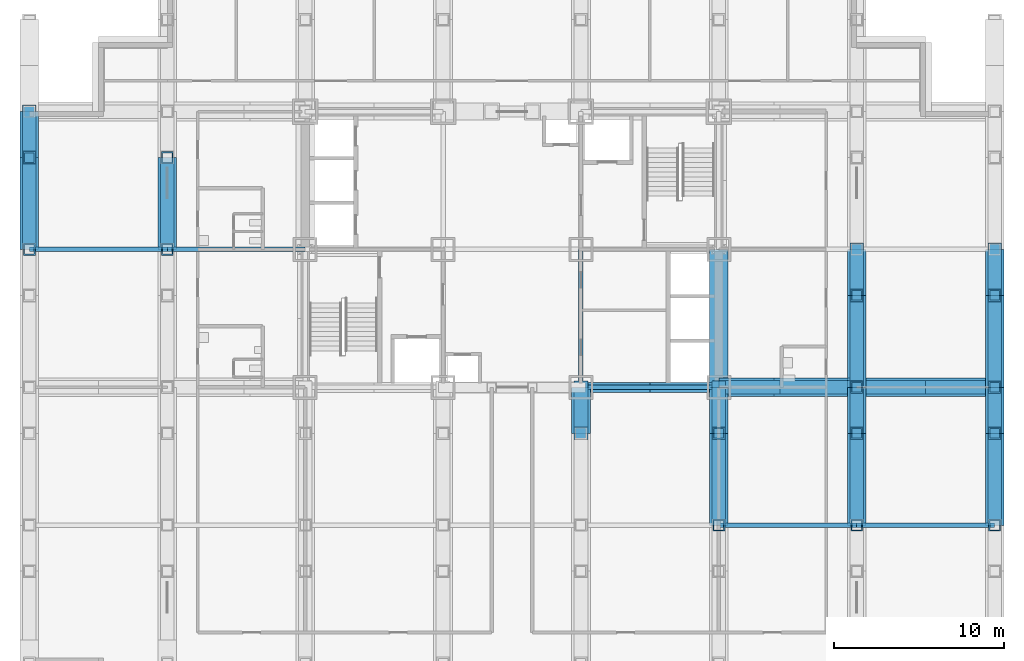
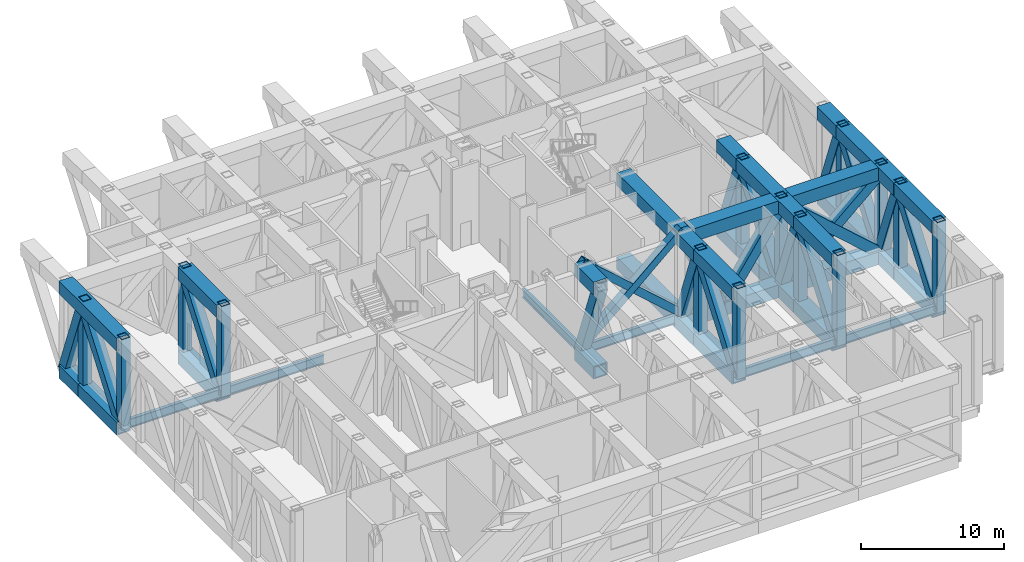
# One storey, part 4 of 13: 68 members, 6 beams.
"""IFC4 building model written with IfcOpenShell, lengths in metres."""

from ifc_helpers import new_model, si_unit, direction, frame, origin, origin_2d, place, context, subcontext, project, spatial, hollow_rectangle, i_section, extrude, material, material_profile, profile_set, type_object, element, save


model = new_model("IFC4")

# Units and contexts
model_context = context("Model", 3, precision=1e-05, world=origin(), true_north=direction((0.0, 1.0)))
body_context = subcontext(model_context, "Body", "Model", "MODEL_VIEW")
ifc_project = project(units=[si_unit("LENGTHUNIT", "METRE"), si_unit("AREAUNIT", "SQUARE_METRE"), si_unit("VOLUMEUNIT", "CUBIC_METRE"), si_unit("PLANEANGLEUNIT", "RADIAN"), si_unit("MASSUNIT", "GRAM", prefix="KILO")], contexts=[model_context])

# Site, building, storey
site_placement = place(None, origin())
site = spatial("IfcSite", under=ifc_project, at=site_placement, CompositionType="ELEMENT")
building_placement = place(site_placement, origin())
building = spatial("IfcBuilding", under=site, at=building_placement, Name="Kopane Lantern Tower", CompositionType="ELEMENT")
storey_placement = place(building_placement, frame((0.0, 0.0, 90.800048828125)))
storey = spatial("IfcBuildingStorey", under=building, at=storey_placement, Name="L23", CompositionType="ELEMENT", Elevation=90.800048828125)

# Members
ifc_material_1 = material(Name="Steel S355JR", Category="steel")
ifc_material_profile_1 = material_profile(ifc_material_1, hollow_rectangle(XDim=0.60009765625, YDim=0.60009765625, WallThickness=0.050048828125, at=origin_2d()), Name="BOX 600x600x50")
ifc_profile_set_1 = profile_set([ifc_material_profile_1], Name="Steel S355JR")
member_type_1 = type_object("IfcMemberType", Name="BRACE BOX 600x600x50", PredefinedType="BRACE", material=ifc_profile_set_1)
for number, where, z_axis, x_axis, name in (
    (1, (32.39990234375, 24.300048828125, -0.25), (0.747415533118, 0.0, 0.664356847525), (0.0, 1.0, 0.0), "Core brace L23"),
    (2, (40.5, 24.300048828125, -0.25), (-0.747415533118, 0.0, 0.664356847525), (0.0, -1.0, 0.0), "Core brace L23"),
):
    element("IfcMember", number, at=place(storey_placement, frame(where, z_axis=z_axis, x_axis=x_axis)), inside=storey, type_object=member_type_1, Name=name, PredefinedType="BRACE", context=body_context, shape_type="SweptSolid", body=[
        extrude(hollow_rectangle(XDim=0.60009765625, YDim=0.60009765625, WallThickness=0.050048828125, at=origin_2d()), origin(), (0.0, 0.0, 1.0), 10.83740234375),
    ])

# Beams
ifc_material_2 = material(Name="Steel S355JR", Category="steel")
ifc_material_profile_2 = material_profile(ifc_material_2, i_section(OverallWidth=0.2666015625, OverallDepth=0.76220703125, WebThickness=0.014404296875, FlangeThickness=0.021484375, FilletRadius=0.0166015625, at=origin_2d()), Name="UB 762x267x173")
ifc_profile_set_2 = profile_set([ifc_material_profile_2], Name="Steel S355JR")
beam_type_1 = type_object("IfcBeamType", Name="CORE BEAM UB 762x267x173", PredefinedType="BEAM", material=ifc_profile_set_2)
beam_1_placement = place(storey_placement, frame((32.39990234375, 24.300048828125, -0.631103515625), z_axis=(0.0, 1.0, 0.0), x_axis=(-1.0, 0.0, 0.0)))
element("IfcBeam", 3, at=beam_1_placement, inside=storey, type_object=beam_type_1, Name="Core Beam L23", PredefinedType="BEAM", context=body_context, shape_type="SweptSolid", body=[
    extrude(i_section(OverallWidth=0.2666015625, OverallDepth=0.76220703125, WebThickness=0.014404296875, FlangeThickness=0.021484375, FilletRadius=0.0166015625, at=origin_2d()), origin(), (0.0, 0.0, 1.0), 8.099853515625),
])
ifc_material_3 = material(Name="Steel S355JR", Category="steel")
ifc_material_profile_3 = material_profile(ifc_material_3, i_section(OverallWidth=0.2666015625, OverallDepth=0.76220703125, WebThickness=0.014404296875, FlangeThickness=0.021484375, FilletRadius=0.0166015625, at=origin_2d()), Name="UB 762x267x173")
ifc_profile_set_3 = profile_set([ifc_material_profile_3], Name="Steel S355JR")
beam_type_2 = type_object("IfcBeamType", Name="GIRDER UB 762x267x173", PredefinedType="BEAM", material=ifc_profile_set_3)
beam_2_placement = place(storey_placement, frame((0.0, 32.39990234375, -0.631103515625), z_axis=(1.0, 0.0, 0.0), x_axis=(0.0, 1.0, 0.0)))
element("IfcBeam", 4, at=beam_2_placement, inside=storey, type_object=beam_type_2, Name="Girder L23", PredefinedType="BEAM", context=body_context, shape_type="SweptSolid", body=[
    extrude(i_section(OverallWidth=0.2666015625, OverallDepth=0.76220703125, WebThickness=0.014404296875, FlangeThickness=0.021484375, FilletRadius=0.0166015625, at=origin_2d()), origin(), (0.0, 0.0, 1.0), 8.10009765625),
])
beam_3_placement = place(storey_placement, frame((8.10009765625, 32.39990234375, -0.631103515625), z_axis=(1.0, 0.0, 0.0), x_axis=(0.0, 1.0, 0.0)))
element("IfcBeam", 5, at=beam_3_placement, inside=storey, type_object=beam_type_2, Name="Girder L23", PredefinedType="BEAM", context=body_context, shape_type="SweptSolid", body=[
    extrude(i_section(OverallWidth=0.2666015625, OverallDepth=0.76220703125, WebThickness=0.014404296875, FlangeThickness=0.021484375, FilletRadius=0.0166015625, at=origin_2d()), origin(), (0.0, 0.0, 1.0), 8.099853515625),
])
for number, where, z_axis, x_axis, name in (
    (6, (32.39990234375, 24.300048828125, -0.631103515625), (1.0, 0.0, 0.0), (0.0, 1.0, 0.0), "Girder L23"),
    (7, (40.5, 16.199951171875, -0.631103515625), (1.0, 0.0, 0.0), (0.0, 1.0, 0.0), "Girder L23"),
):
    element("IfcBeam", number, at=place(storey_placement, frame(where, z_axis=z_axis, x_axis=x_axis)), inside=storey, type_object=beam_type_2, Name=name, PredefinedType="BEAM", context=body_context, shape_type="SweptSolid", body=[
        extrude(i_section(OverallWidth=0.2666015625, OverallDepth=0.76220703125, WebThickness=0.014404296875, FlangeThickness=0.021484375, FilletRadius=0.0166015625, at=origin_2d()), origin(), (0.0, 0.0, 1.0), 8.10009765625),
    ])
beam_4_placement = place(storey_placement, frame((48.60009765625, 16.199951171875, -0.631103515625), z_axis=(1.0, 0.0, 0.0), x_axis=(0.0, 1.0, 0.0)))
element("IfcBeam", 8, at=beam_4_placement, inside=storey, type_object=beam_type_2, Name="Girder L23", PredefinedType="BEAM", context=body_context, shape_type="SweptSolid", body=[
    extrude(i_section(OverallWidth=0.2666015625, OverallDepth=0.76220703125, WebThickness=0.014404296875, FlangeThickness=0.021484375, FilletRadius=0.0166015625, at=origin_2d()), origin(), (0.0, 0.0, 1.0), 8.099853515625),
])

# Members
ifc_material_4 = material(Name="Steel S355JR", Category="steel")
ifc_material_profile_4 = material_profile(ifc_material_4, hollow_rectangle(XDim=1.10009765625, YDim=1.10009765625, WallThickness=0.10009765625, at=origin_2d()), Name="BOX 1100x1100x100")
ifc_profile_set_4 = profile_set([ifc_material_profile_4], Name="Steel S355JR")
member_type_2 = type_object("IfcMemberType", Name="TRUSS CHORD BOX 1100x1100x100", PredefinedType="CHORD", material=ifc_profile_set_4)
member_1_placement = place(storey_placement, frame((0.0, 32.39990234375, -0.800048828125), z_axis=(0.0, 1.0, 0.0), x_axis=(-1.0, 0.0, 0.0)))
element("IfcMember", 9, at=member_1_placement, inside=storey, type_object=member_type_2, Name="Transfer truss 2 L23 truss chord", PredefinedType="CHORD", context=body_context, shape_type="SweptSolid", body=[
    extrude(hollow_rectangle(XDim=1.10009765625, YDim=1.10009765625, WallThickness=0.10009765625, at=origin_2d()), origin(), (0.0, 0.0, 1.0), 5.400146484375),
])
member_2_placement = place(storey_placement, frame((0.0, 37.800048828125, -0.800048828125), z_axis=(0.0, 1.0, 0.0), x_axis=(-1.0, 0.0, 0.0)))
element("IfcMember", 10, at=member_2_placement, inside=storey, type_object=member_type_2, Name="Transfer truss 2 L23 truss chord", PredefinedType="CHORD", context=body_context, shape_type="SweptSolid", body=[
    extrude(hollow_rectangle(XDim=1.10009765625, YDim=1.10009765625, WallThickness=0.10009765625, at=origin_2d()), origin(), (0.0, 0.0, 1.0), 2.699951171875),
])
member_3_placement = place(storey_placement, frame((0.0, 32.39990234375, 6.39990234375), z_axis=(0.0, 1.0, 0.0), x_axis=(-1.0, 0.0, 0.0)))
element("IfcMember", 11, at=member_3_placement, inside=storey, type_object=member_type_2, Name="Transfer truss 2 L23 truss chord", PredefinedType="CHORD", context=body_context, shape_type="SweptSolid", body=[
    extrude(hollow_rectangle(XDim=1.10009765625, YDim=1.10009765625, WallThickness=0.10009765625, at=origin_2d()), origin(), (0.0, 0.0, 1.0), 8.10009765625),
])
for number, where, z_axis, x_axis, name in (
    (12, (8.10009765625, 32.39990234375, -0.800048828125), (0.0, 1.0, 0.0), (-1.0, 0.0, 0.0), "Transfer truss 3 L23 truss chord"),
    (13, (8.10009765625, 32.39990234375, 6.39990234375), (0.0, 1.0, 0.0), (-1.0, 0.0, 0.0), "Transfer truss 3 L23 truss chord"),
):
    element("IfcMember", number, at=place(storey_placement, frame(where, z_axis=z_axis, x_axis=x_axis)), inside=storey, type_object=member_type_2, Name=name, PredefinedType="CHORD", context=body_context, shape_type="SweptSolid", body=[
        extrude(hollow_rectangle(XDim=1.10009765625, YDim=1.10009765625, WallThickness=0.10009765625, at=origin_2d()), origin(), (0.0, 0.0, 1.0), 5.400146484375),
    ])
for number, where, z_axis, x_axis, name in (
    (14, (32.39990234375, 21.60009765625, -0.800048828125), (0.0, 1.0, 0.0), (-1.0, 0.0, 0.0), "Transfer truss 6 L23 truss chord"),
    (15, (32.39990234375, 21.60009765625, 6.39990234375), (0.0, 1.0, 0.0), (-1.0, 0.0, 0.0), "Transfer truss 6 L23 truss chord"),
):
    element("IfcMember", number, at=place(storey_placement, frame(where, z_axis=z_axis, x_axis=x_axis)), inside=storey, type_object=member_type_2, Name=name, PredefinedType="CHORD", context=body_context, shape_type="SweptSolid", body=[
        extrude(hollow_rectangle(XDim=1.10009765625, YDim=1.10009765625, WallThickness=0.10009765625, at=origin_2d()), origin(), (0.0, 0.0, 1.0), 2.699951171875),
    ])
member_4_placement = place(storey_placement, frame((40.5, 16.199951171875, -0.800048828125), z_axis=(0.0, 1.0, 0.0), x_axis=(-1.0, 0.0, 0.0)))
element("IfcMember", 16, at=member_4_placement, inside=storey, type_object=member_type_2, Name="Transfer truss 7 L23 truss chord", PredefinedType="CHORD", context=body_context, shape_type="SweptSolid", body=[
    extrude(hollow_rectangle(XDim=1.10009765625, YDim=1.10009765625, WallThickness=0.10009765625, at=origin_2d()), origin(), (0.0, 0.0, 1.0), 5.400146484375),
])
member_5_placement = place(storey_placement, frame((40.5, 21.60009765625, -0.800048828125), z_axis=(0.0, 1.0, 0.0), x_axis=(-1.0, 0.0, 0.0)))
element("IfcMember", 17, at=member_5_placement, inside=storey, type_object=member_type_2, Name="Transfer truss 7 L23 truss chord", PredefinedType="CHORD", context=body_context, shape_type="SweptSolid", body=[
    extrude(hollow_rectangle(XDim=1.10009765625, YDim=1.10009765625, WallThickness=0.10009765625, at=origin_2d()), origin(), (0.0, 0.0, 1.0), 2.699951171875),
])
member_6_placement = place(storey_placement, frame((40.5, 24.300048828125, -0.800048828125), z_axis=(0.0, 1.0, 0.0), x_axis=(-1.0, 0.0, 0.0)))
element("IfcMember", 18, at=member_6_placement, inside=storey, type_object=member_type_2, Name="Transfer truss 7 L23 truss chord", PredefinedType="CHORD", context=body_context, shape_type="SweptSolid", body=[
    extrude(hollow_rectangle(XDim=1.10009765625, YDim=1.10009765625, WallThickness=0.10009765625, at=origin_2d()), origin(), (0.0, 0.0, 1.0), 8.099853515625),
])
member_7_placement = place(storey_placement, frame((40.5, 16.199951171875, 6.39990234375), z_axis=(0.0, 1.0, 0.0), x_axis=(-1.0, 0.0, 0.0)))
element("IfcMember", 19, at=member_7_placement, inside=storey, type_object=member_type_2, Name="Transfer truss 7 L23 truss chord", PredefinedType="CHORD", context=body_context, shape_type="SweptSolid", body=[
    extrude(hollow_rectangle(XDim=1.10009765625, YDim=1.10009765625, WallThickness=0.10009765625, at=origin_2d()), origin(), (0.0, 0.0, 1.0), 5.400146484375),
])
member_8_placement = place(storey_placement, frame((40.5, 21.60009765625, 6.39990234375), z_axis=(0.0, 1.0, 0.0), x_axis=(-1.0, 0.0, 0.0)))
element("IfcMember", 20, at=member_8_placement, inside=storey, type_object=member_type_2, Name="Transfer truss 7 L23 truss chord", PredefinedType="CHORD", context=body_context, shape_type="SweptSolid", body=[
    extrude(hollow_rectangle(XDim=1.10009765625, YDim=1.10009765625, WallThickness=0.10009765625, at=origin_2d()), origin(), (0.0, 0.0, 1.0), 2.699951171875),
])
member_9_placement = place(storey_placement, frame((40.5, 24.300048828125, 6.39990234375), z_axis=(0.0, 1.0, 0.0), x_axis=(-1.0, 0.0, 0.0)))
element("IfcMember", 21, at=member_9_placement, inside=storey, type_object=member_type_2, Name="Transfer truss 7 L23 truss chord", PredefinedType="CHORD", context=body_context, shape_type="SweptSolid", body=[
    extrude(hollow_rectangle(XDim=1.10009765625, YDim=1.10009765625, WallThickness=0.10009765625, at=origin_2d()), origin(), (0.0, 0.0, 1.0), 8.099853515625),
])
member_10_placement = place(storey_placement, frame((48.60009765625, 16.199951171875, -0.800048828125), z_axis=(0.0, 1.0, 0.0), x_axis=(-1.0, 0.0, 0.0)))
element("IfcMember", 22, at=member_10_placement, inside=storey, type_object=member_type_2, Name="Transfer truss 8 L23 truss chord", PredefinedType="CHORD", context=body_context, shape_type="SweptSolid", body=[
    extrude(hollow_rectangle(XDim=1.10009765625, YDim=1.10009765625, WallThickness=0.10009765625, at=origin_2d()), origin(), (0.0, 0.0, 1.0), 5.400146484375),
])
member_11_placement = place(storey_placement, frame((48.60009765625, 21.60009765625, -0.800048828125), z_axis=(0.0, 1.0, 0.0), x_axis=(-1.0, 0.0, 0.0)))
element("IfcMember", 23, at=member_11_placement, inside=storey, type_object=member_type_2, Name="Transfer truss 8 L23 truss chord", PredefinedType="CHORD", context=body_context, shape_type="SweptSolid", body=[
    extrude(hollow_rectangle(XDim=1.10009765625, YDim=1.10009765625, WallThickness=0.10009765625, at=origin_2d()), origin(), (0.0, 0.0, 1.0), 2.699951171875),
])
member_12_placement = place(storey_placement, frame((48.60009765625, 24.300048828125, -0.800048828125), z_axis=(0.0, 1.0, 0.0), x_axis=(-1.0, 0.0, 0.0)))
element("IfcMember", 24, at=member_12_placement, inside=storey, type_object=member_type_2, Name="Transfer truss 8 L23 truss chord", PredefinedType="CHORD", context=body_context, shape_type="SweptSolid", body=[
    extrude(hollow_rectangle(XDim=1.10009765625, YDim=1.10009765625, WallThickness=0.10009765625, at=origin_2d()), origin(), (0.0, 0.0, 1.0), 5.39990234375),
])
member_13_placement = place(storey_placement, frame((48.60009765625, 29.699951171875, -0.800048828125), z_axis=(0.0, 1.0, 0.0), x_axis=(-1.0, 0.0, 0.0)))
element("IfcMember", 25, at=member_13_placement, inside=storey, type_object=member_type_2, Name="Transfer truss 8 L23 truss chord", PredefinedType="CHORD", context=body_context, shape_type="SweptSolid", body=[
    extrude(hollow_rectangle(XDim=1.10009765625, YDim=1.10009765625, WallThickness=0.10009765625, at=origin_2d()), origin(), (0.0, 0.0, 1.0), 2.699951171875),
])
member_14_placement = place(storey_placement, frame((48.60009765625, 16.199951171875, 6.39990234375), z_axis=(0.0, 1.0, 0.0), x_axis=(-1.0, 0.0, 0.0)))
element("IfcMember", 26, at=member_14_placement, inside=storey, type_object=member_type_2, Name="Transfer truss 8 L23 truss chord", PredefinedType="CHORD", context=body_context, shape_type="SweptSolid", body=[
    extrude(hollow_rectangle(XDim=1.10009765625, YDim=1.10009765625, WallThickness=0.10009765625, at=origin_2d()), origin(), (0.0, 0.0, 1.0), 5.400146484375),
])
member_15_placement = place(storey_placement, frame((48.60009765625, 21.60009765625, 6.39990234375), z_axis=(0.0, 1.0, 0.0), x_axis=(-1.0, 0.0, 0.0)))
element("IfcMember", 27, at=member_15_placement, inside=storey, type_object=member_type_2, Name="Transfer truss 8 L23 truss chord", PredefinedType="CHORD", context=body_context, shape_type="SweptSolid", body=[
    extrude(hollow_rectangle(XDim=1.10009765625, YDim=1.10009765625, WallThickness=0.10009765625, at=origin_2d()), origin(), (0.0, 0.0, 1.0), 2.699951171875),
])
member_16_placement = place(storey_placement, frame((48.60009765625, 24.300048828125, 6.39990234375), z_axis=(0.0, 1.0, 0.0), x_axis=(-1.0, 0.0, 0.0)))
element("IfcMember", 28, at=member_16_placement, inside=storey, type_object=member_type_2, Name="Transfer truss 8 L23 truss chord", PredefinedType="CHORD", context=body_context, shape_type="SweptSolid", body=[
    extrude(hollow_rectangle(XDim=1.10009765625, YDim=1.10009765625, WallThickness=0.10009765625, at=origin_2d()), origin(), (0.0, 0.0, 1.0), 5.39990234375),
])
member_17_placement = place(storey_placement, frame((48.60009765625, 29.699951171875, 6.39990234375), z_axis=(0.0, 1.0, 0.0), x_axis=(-1.0, 0.0, 0.0)))
element("IfcMember", 29, at=member_17_placement, inside=storey, type_object=member_type_2, Name="Transfer truss 8 L23 truss chord", PredefinedType="CHORD", context=body_context, shape_type="SweptSolid", body=[
    extrude(hollow_rectangle(XDim=1.10009765625, YDim=1.10009765625, WallThickness=0.10009765625, at=origin_2d()), origin(), (0.0, 0.0, 1.0), 2.699951171875),
])
member_18_placement = place(storey_placement, frame((56.699951171875, 16.199951171875, -0.800048828125), z_axis=(0.0, 1.0, 0.0), x_axis=(-1.0, 0.0, 0.0)))
element("IfcMember", 30, at=member_18_placement, inside=storey, type_object=member_type_2, Name="Transfer truss 9 L23 truss chord", PredefinedType="CHORD", context=body_context, shape_type="SweptSolid", body=[
    extrude(hollow_rectangle(XDim=1.10009765625, YDim=1.10009765625, WallThickness=0.10009765625, at=origin_2d()), origin(), (0.0, 0.0, 1.0), 5.400146484375),
])
member_19_placement = place(storey_placement, frame((56.699951171875, 21.60009765625, -0.800048828125), z_axis=(0.0, 1.0, 0.0), x_axis=(-1.0, 0.0, 0.0)))
element("IfcMember", 31, at=member_19_placement, inside=storey, type_object=member_type_2, Name="Transfer truss 9 L23 truss chord", PredefinedType="CHORD", context=body_context, shape_type="SweptSolid", body=[
    extrude(hollow_rectangle(XDim=1.10009765625, YDim=1.10009765625, WallThickness=0.10009765625, at=origin_2d()), origin(), (0.0, 0.0, 1.0), 2.699951171875),
])
member_20_placement = place(storey_placement, frame((56.699951171875, 24.300048828125, -0.800048828125), z_axis=(0.0, 1.0, 0.0), x_axis=(-1.0, 0.0, 0.0)))
element("IfcMember", 32, at=member_20_placement, inside=storey, type_object=member_type_2, Name="Transfer truss 9 L23 truss chord", PredefinedType="CHORD", context=body_context, shape_type="SweptSolid", body=[
    extrude(hollow_rectangle(XDim=1.10009765625, YDim=1.10009765625, WallThickness=0.10009765625, at=origin_2d()), origin(), (0.0, 0.0, 1.0), 5.39990234375),
])
member_21_placement = place(storey_placement, frame((56.699951171875, 29.699951171875, -0.800048828125), z_axis=(0.0, 1.0, 0.0), x_axis=(-1.0, 0.0, 0.0)))
element("IfcMember", 33, at=member_21_placement, inside=storey, type_object=member_type_2, Name="Transfer truss 9 L23 truss chord", PredefinedType="CHORD", context=body_context, shape_type="SweptSolid", body=[
    extrude(hollow_rectangle(XDim=1.10009765625, YDim=1.10009765625, WallThickness=0.10009765625, at=origin_2d()), origin(), (0.0, 0.0, 1.0), 2.699951171875),
])
member_22_placement = place(storey_placement, frame((56.699951171875, 16.199951171875, 6.39990234375), z_axis=(0.0, 1.0, 0.0), x_axis=(-1.0, 0.0, 0.0)))
element("IfcMember", 34, at=member_22_placement, inside=storey, type_object=member_type_2, Name="Transfer truss 9 L23 truss chord", PredefinedType="CHORD", context=body_context, shape_type="SweptSolid", body=[
    extrude(hollow_rectangle(XDim=1.10009765625, YDim=1.10009765625, WallThickness=0.10009765625, at=origin_2d()), origin(), (0.0, 0.0, 1.0), 5.400146484375),
])
member_23_placement = place(storey_placement, frame((56.699951171875, 21.60009765625, 6.39990234375), z_axis=(0.0, 1.0, 0.0), x_axis=(-1.0, 0.0, 0.0)))
element("IfcMember", 35, at=member_23_placement, inside=storey, type_object=member_type_2, Name="Transfer truss 9 L23 truss chord", PredefinedType="CHORD", context=body_context, shape_type="SweptSolid", body=[
    extrude(hollow_rectangle(XDim=1.10009765625, YDim=1.10009765625, WallThickness=0.10009765625, at=origin_2d()), origin(), (0.0, 0.0, 1.0), 2.699951171875),
])
member_24_placement = place(storey_placement, frame((56.699951171875, 24.300048828125, 6.39990234375), z_axis=(0.0, 1.0, 0.0), x_axis=(-1.0, 0.0, 0.0)))
element("IfcMember", 36, at=member_24_placement, inside=storey, type_object=member_type_2, Name="Transfer truss 9 L23 truss chord", PredefinedType="CHORD", context=body_context, shape_type="SweptSolid", body=[
    extrude(hollow_rectangle(XDim=1.10009765625, YDim=1.10009765625, WallThickness=0.10009765625, at=origin_2d()), origin(), (0.0, 0.0, 1.0), 5.39990234375),
])
member_25_placement = place(storey_placement, frame((56.699951171875, 29.699951171875, 6.39990234375), z_axis=(0.0, 1.0, 0.0), x_axis=(-1.0, 0.0, 0.0)))
element("IfcMember", 37, at=member_25_placement, inside=storey, type_object=member_type_2, Name="Transfer truss 9 L23 truss chord", PredefinedType="CHORD", context=body_context, shape_type="SweptSolid", body=[
    extrude(hollow_rectangle(XDim=1.10009765625, YDim=1.10009765625, WallThickness=0.10009765625, at=origin_2d()), origin(), (0.0, 0.0, 1.0), 2.699951171875),
])
for number, where, z_axis, x_axis, name in (
    (38, (56.699951171875, 24.300048828125, -0.800048828125), (-1.0, 0.0, 0.0), (0.0, -1.0, 0.0), "Outrigger truss E24.3 L23 truss chord"),
    (39, (56.699951171875, 24.300048828125, 6.39990234375), (-1.0, 0.0, 0.0), (0.0, -1.0, 0.0), "Outrigger truss E24.3 L23 truss chord"),
):
    element("IfcMember", number, at=place(storey_placement, frame(where, z_axis=z_axis, x_axis=x_axis)), inside=storey, type_object=member_type_2, Name=name, PredefinedType="CHORD", context=body_context, shape_type="SweptSolid", body=[
        extrude(hollow_rectangle(XDim=1.10009765625, YDim=1.10009765625, WallThickness=0.10009765625, at=origin_2d()), origin(), (0.0, 0.0, 1.0), 8.099853515625),
    ])
member_26_placement = place(storey_placement, frame((48.60009765625, 24.300048828125, -0.800048828125), z_axis=(-1.0, 0.0, 0.0), x_axis=(0.0, -1.0, 0.0)))
element("IfcMember", 40, at=member_26_placement, inside=storey, type_object=member_type_2, Name="Outrigger truss E24.3 L23 truss chord", PredefinedType="CHORD", context=body_context, shape_type="SweptSolid", body=[
    extrude(hollow_rectangle(XDim=1.10009765625, YDim=1.10009765625, WallThickness=0.10009765625, at=origin_2d()), origin(), (0.0, 0.0, 1.0), 4.860107421875),
])
member_27_placement = place(storey_placement, frame((43.739990234375, 24.300048828125, -0.800048828125), z_axis=(-1.0, 0.0, 0.0), x_axis=(0.0, -1.0, 0.0)))
element("IfcMember", 41, at=member_27_placement, inside=storey, type_object=member_type_2, Name="Outrigger truss E24.3 L23 truss chord", PredefinedType="CHORD", context=body_context, shape_type="SweptSolid", body=[
    extrude(hollow_rectangle(XDim=1.10009765625, YDim=1.10009765625, WallThickness=0.10009765625, at=origin_2d()), origin(), (0.0, 0.0, 1.0), 3.239990234375),
])
member_28_placement = place(storey_placement, frame((48.60009765625, 24.300048828125, 6.39990234375), z_axis=(-1.0, 0.0, 0.0), x_axis=(0.0, -1.0, 0.0)))
element("IfcMember", 42, at=member_28_placement, inside=storey, type_object=member_type_2, Name="Outrigger truss E24.3 L23 truss chord", PredefinedType="CHORD", context=body_context, shape_type="SweptSolid", body=[
    extrude(hollow_rectangle(XDim=1.10009765625, YDim=1.10009765625, WallThickness=0.10009765625, at=origin_2d()), origin(), (0.0, 0.0, 1.0), 8.10009765625),
])
ifc_material_5 = material(Name="Steel S355JR", Category="steel")
ifc_material_profile_5 = material_profile(ifc_material_5, hollow_rectangle(XDim=0.800048828125, YDim=0.800048828125, WallThickness=0.080078125, at=origin_2d()), Name="BOX 800x800x80")
ifc_profile_set_5 = profile_set([ifc_material_profile_5], Name="Steel S355JR")
member_type_3 = type_object("IfcMemberType", Name="TRUSS DIAGONAL BOX 800x800x80", PredefinedType="BRACE", material=ifc_profile_set_5)
member_29_placement = place(storey_placement, frame((0.0, 32.39990234375, -0.800048828125), z_axis=(0.0, 0.600013020683, 0.799990234322), x_axis=(-1.0, 0.0, 0.0)))
element("IfcMember", 43, at=member_29_placement, inside=storey, type_object=member_type_3, Name="Transfer truss 2 L23 truss diagonal", PredefinedType="BRACE", context=body_context, shape_type="SweptSolid", body=[
    extrude(hollow_rectangle(XDim=0.800048828125, YDim=0.800048828125, WallThickness=0.080078125, at=origin_2d()), origin(), (0.0, 0.0, 1.0), 9.0),
])
member_30_placement = place(storey_placement, frame((0.0, 40.5, -0.800048828125), z_axis=(0.0, -0.351119962166, 0.936330482345), x_axis=(1.0, 0.0, 0.0)))
element("IfcMember", 44, at=member_30_placement, inside=storey, type_object=member_type_3, Name="Transfer truss 2 L23 truss diagonal", PredefinedType="BRACE", context=body_context, shape_type="SweptSolid", body=[
    extrude(hollow_rectangle(XDim=0.800048828125, YDim=0.800048828125, WallThickness=0.080078125, at=origin_2d()), origin(), (0.0, 0.0, 1.0), 7.689453125),
])
member_31_placement = place(storey_placement, frame((8.10009765625, 32.39990234375, -0.800048828125), z_axis=(0.0, 0.600013020683, 0.799990234322), x_axis=(-1.0, 0.0, 0.0)))
element("IfcMember", 45, at=member_31_placement, inside=storey, type_object=member_type_3, Name="Transfer truss 3 L23 truss diagonal", PredefinedType="BRACE", context=body_context, shape_type="SweptSolid", body=[
    extrude(hollow_rectangle(XDim=0.800048828125, YDim=0.800048828125, WallThickness=0.080078125, at=origin_2d()), origin(), (0.0, 0.0, 1.0), 9.0),
])
member_32_placement = place(storey_placement, frame((32.39990234375, 24.300048828125, -0.800048828125), z_axis=(0.0, -0.351119962166, 0.936330482345), x_axis=(1.0, 0.0, 0.0)))
element("IfcMember", 46, at=member_32_placement, inside=storey, type_object=member_type_3, Name="Transfer truss 6 L23 truss diagonal", PredefinedType="BRACE", context=body_context, shape_type="SweptSolid", body=[
    extrude(hollow_rectangle(XDim=0.800048828125, YDim=0.800048828125, WallThickness=0.080078125, at=origin_2d()), origin(), (0.0, 0.0, 1.0), 7.689453125),
])
member_33_placement = place(storey_placement, frame((40.5, 16.199951171875, -0.800048828125), z_axis=(0.0, 0.600013020683, 0.799990234322), x_axis=(-1.0, 0.0, 0.0)))
element("IfcMember", 47, at=member_33_placement, inside=storey, type_object=member_type_3, Name="Transfer truss 7 L23 truss diagonal", PredefinedType="BRACE", context=body_context, shape_type="SweptSolid", body=[
    extrude(hollow_rectangle(XDim=0.800048828125, YDim=0.800048828125, WallThickness=0.080078125, at=origin_2d()), origin(), (0.0, 0.0, 1.0), 9.0),
])
member_34_placement = place(storey_placement, frame((40.5, 24.300048828125, -0.800048828125), z_axis=(0.0, -0.351119962166, 0.936330482345), x_axis=(1.0, 0.0, 0.0)))
element("IfcMember", 48, at=member_34_placement, inside=storey, type_object=member_type_3, Name="Transfer truss 7 L23 truss diagonal", PredefinedType="BRACE", context=body_context, shape_type="SweptSolid", body=[
    extrude(hollow_rectangle(XDim=0.800048828125, YDim=0.800048828125, WallThickness=0.080078125, at=origin_2d()), origin(), (0.0, 0.0, 1.0), 7.689453125),
])
member_35_placement = place(storey_placement, frame((48.60009765625, 16.199951171875, -0.800048828125), z_axis=(0.0, 0.600013020683, 0.799990234322), x_axis=(-1.0, 0.0, 0.0)))
element("IfcMember", 49, at=member_35_placement, inside=storey, type_object=member_type_3, Name="Transfer truss 8 L23 truss diagonal", PredefinedType="BRACE", context=body_context, shape_type="SweptSolid", body=[
    extrude(hollow_rectangle(XDim=0.800048828125, YDim=0.800048828125, WallThickness=0.080078125, at=origin_2d()), origin(), (0.0, 0.0, 1.0), 9.0),
])
member_36_placement = place(storey_placement, frame((48.60009765625, 24.300048828125, -0.800048828125), z_axis=(0.0, -0.351119962166, 0.936330482345), x_axis=(1.0, 0.0, 0.0)))
element("IfcMember", 50, at=member_36_placement, inside=storey, type_object=member_type_3, Name="Transfer truss 8 L23 truss diagonal", PredefinedType="BRACE", context=body_context, shape_type="SweptSolid", body=[
    extrude(hollow_rectangle(XDim=0.800048828125, YDim=0.800048828125, WallThickness=0.080078125, at=origin_2d()), origin(), (0.0, 0.0, 1.0), 7.689453125),
])
member_37_placement = place(storey_placement, frame((48.60009765625, 24.300048828125, -0.800048828125), z_axis=(0.0, 0.599995659666, 0.800003255232), x_axis=(-1.0, 0.0, 0.0)))
element("IfcMember", 51, at=member_37_placement, inside=storey, type_object=member_type_3, Name="Transfer truss 8 L23 truss diagonal", PredefinedType="BRACE", context=body_context, shape_type="SweptSolid", body=[
    extrude(hollow_rectangle(XDim=0.800048828125, YDim=0.800048828125, WallThickness=0.080078125, at=origin_2d()), origin(), (0.0, 0.0, 1.0), 9.0),
])
member_38_placement = place(storey_placement, frame((48.60009765625, 32.39990234375, -0.800048828125), z_axis=(0.0, -0.351119962166, 0.936330482345), x_axis=(1.0, 0.0, 0.0)))
element("IfcMember", 52, at=member_38_placement, inside=storey, type_object=member_type_3, Name="Transfer truss 8 L23 truss diagonal", PredefinedType="BRACE", context=body_context, shape_type="SweptSolid", body=[
    extrude(hollow_rectangle(XDim=0.800048828125, YDim=0.800048828125, WallThickness=0.080078125, at=origin_2d()), origin(), (0.0, 0.0, 1.0), 7.689453125),
])
member_39_placement = place(storey_placement, frame((56.699951171875, 16.199951171875, -0.800048828125), z_axis=(0.0, 0.600013020683, 0.799990234322), x_axis=(-1.0, 0.0, 0.0)))
element("IfcMember", 53, at=member_39_placement, inside=storey, type_object=member_type_3, Name="Transfer truss 9 L23 truss diagonal", PredefinedType="BRACE", context=body_context, shape_type="SweptSolid", body=[
    extrude(hollow_rectangle(XDim=0.800048828125, YDim=0.800048828125, WallThickness=0.080078125, at=origin_2d()), origin(), (0.0, 0.0, 1.0), 9.0),
])
member_40_placement = place(storey_placement, frame((56.699951171875, 24.300048828125, -0.800048828125), z_axis=(0.0, -0.351119962166, 0.936330482345), x_axis=(1.0, 0.0, 0.0)))
element("IfcMember", 54, at=member_40_placement, inside=storey, type_object=member_type_3, Name="Transfer truss 9 L23 truss diagonal", PredefinedType="BRACE", context=body_context, shape_type="SweptSolid", body=[
    extrude(hollow_rectangle(XDim=0.800048828125, YDim=0.800048828125, WallThickness=0.080078125, at=origin_2d()), origin(), (0.0, 0.0, 1.0), 7.689453125),
])
member_41_placement = place(storey_placement, frame((56.699951171875, 24.300048828125, -0.800048828125), z_axis=(0.0, 0.599995659666, 0.800003255232), x_axis=(-1.0, 0.0, 0.0)))
element("IfcMember", 55, at=member_41_placement, inside=storey, type_object=member_type_3, Name="Transfer truss 9 L23 truss diagonal", PredefinedType="BRACE", context=body_context, shape_type="SweptSolid", body=[
    extrude(hollow_rectangle(XDim=0.800048828125, YDim=0.800048828125, WallThickness=0.080078125, at=origin_2d()), origin(), (0.0, 0.0, 1.0), 9.0),
])
member_42_placement = place(storey_placement, frame((56.699951171875, 32.39990234375, -0.800048828125), z_axis=(0.0, -0.351119962166, 0.936330482345), x_axis=(1.0, 0.0, 0.0)))
element("IfcMember", 56, at=member_42_placement, inside=storey, type_object=member_type_3, Name="Transfer truss 9 L23 truss diagonal", PredefinedType="BRACE", context=body_context, shape_type="SweptSolid", body=[
    extrude(hollow_rectangle(XDim=0.800048828125, YDim=0.800048828125, WallThickness=0.080078125, at=origin_2d()), origin(), (0.0, 0.0, 1.0), 7.689453125),
])
for number, where, z_axis, x_axis, name in (
    (57, (56.699951171875, 24.300048828125, -0.800048828125), (-0.747405589929, 0.0, 0.664368033655), (0.0, -1.0, 0.0), "Outrigger truss E24.3 L23 truss diagonal"),
    (58, (48.60009765625, 24.300048828125, -0.800048828125), (0.747405589929, 0.0, 0.664368033655), (0.0, 1.0, 0.0), "Outrigger truss E24.3 L23 truss diagonal"),
):
    element("IfcMember", number, at=place(storey_placement, frame(where, z_axis=z_axis, x_axis=x_axis)), inside=storey, type_object=member_type_3, Name=name, PredefinedType="BRACE", context=body_context, shape_type="SweptSolid", body=[
        extrude(hollow_rectangle(XDim=0.800048828125, YDim=0.800048828125, WallThickness=0.080078125, at=origin_2d()), origin(), (0.0, 0.0, 1.0), 10.83740234375),
    ])
member_43_placement = place(storey_placement, frame((48.60009765625, 24.300048828125, 6.39990234375), z_axis=(-0.559483956924, 0.0, -0.82884118017), x_axis=(0.0, -1.0, 0.0)))
element("IfcMember", 59, at=member_43_placement, inside=storey, type_object=member_type_3, Name="Outrigger truss E24.3 L23 truss diagonal", PredefinedType="BRACE", context=body_context, shape_type="SweptSolid", body=[
    extrude(hollow_rectangle(XDim=0.800048828125, YDim=0.800048828125, WallThickness=0.080078125, at=origin_2d()), origin(), (0.0, 0.0, 1.0), 8.686767578125),
])
member_44_placement = place(storey_placement, frame((40.5, 24.300048828125, 6.39990234375), z_axis=(0.410365963067, 0.0, -0.911920926592), x_axis=(0.0, 1.0, 0.0)))
element("IfcMember", 60, at=member_44_placement, inside=storey, type_object=member_type_3, Name="Outrigger truss E24.3 L23 truss diagonal", PredefinedType="BRACE", context=body_context, shape_type="SweptSolid", body=[
    extrude(hollow_rectangle(XDim=0.800048828125, YDim=0.800048828125, WallThickness=0.080078125, at=origin_2d()), origin(), (0.0, 0.0, 1.0), 7.895263671875),
])
ifc_material_6 = material(Name="Steel S355JR", Category="steel")
ifc_material_profile_6 = material_profile(ifc_material_6, hollow_rectangle(XDim=0.699951171875, YDim=0.699951171875, WallThickness=0.070068359375, at=origin_2d()), Name="BOX 700x700x70")
ifc_profile_set_6 = profile_set([ifc_material_profile_6], Name="Steel S355JR")
member_type_4 = type_object("IfcMemberType", Name="TRUSS POST BOX 700x700x70", PredefinedType="POST", material=ifc_profile_set_6)
for number, where, z_axis, x_axis, name in (
    (61, (0.0, 32.39990234375, -0.800048828125), (0.0, 0.0, 1.0), (1.0, 0.0, 0.0), "Transfer truss 2 L23 truss post"),
    (62, (0.0, 37.800048828125, -0.800048828125), (0.0, 0.0, 1.0), (1.0, 0.0, 0.0), "Transfer truss 2 L23 truss post"),
    (63, (8.10009765625, 32.39990234375, -0.800048828125), (0.0, 0.0, 1.0), (1.0, 0.0, 0.0), "Transfer truss 3 L23 truss post"),
    (64, (8.10009765625, 37.800048828125, -0.800048828125), (0.0, 0.0, 1.0), (1.0, 0.0, 0.0), "Transfer truss 3 L23 truss post"),
    (65, (40.5, 16.199951171875, -0.800048828125), (0.0, 0.0, 1.0), (1.0, 0.0, 0.0), "Transfer truss 7 L23 truss post"),
    (66, (40.5, 21.60009765625, -0.800048828125), (0.0, 0.0, 1.0), (1.0, 0.0, 0.0), "Transfer truss 7 L23 truss post"),
    (67, (48.60009765625, 16.199951171875, -0.800048828125), (0.0, 0.0, 1.0), (1.0, 0.0, 0.0), "Transfer truss 8 L23 truss post"),
    (68, (48.60009765625, 21.60009765625, -0.800048828125), (0.0, 0.0, 1.0), (1.0, 0.0, 0.0), "Transfer truss 8 L23 truss post"),
    (69, (48.60009765625, 24.300048828125, -0.800048828125), (0.0, 0.0, 1.0), (1.0, 0.0, 0.0), "Transfer truss 8 L23 truss post"),
    (70, (48.60009765625, 29.699951171875, -0.800048828125), (0.0, 0.0, 1.0), (1.0, 0.0, 0.0), "Transfer truss 8 L23 truss post"),
    (71, (56.699951171875, 16.199951171875, -0.800048828125), (0.0, 0.0, 1.0), (1.0, 0.0, 0.0), "Transfer truss 9 L23 truss post"),
    (72, (56.699951171875, 21.60009765625, -0.800048828125), (0.0, 0.0, 1.0), (1.0, 0.0, 0.0), "Transfer truss 9 L23 truss post"),
    (73, (56.699951171875, 24.300048828125, -0.800048828125), (0.0, 0.0, 1.0), (1.0, 0.0, 0.0), "Transfer truss 9 L23 truss post"),
    (74, (56.699951171875, 29.699951171875, -0.800048828125), (0.0, 0.0, 1.0), (1.0, 0.0, 0.0), "Transfer truss 9 L23 truss post"),
):
    element("IfcMember", number, at=place(storey_placement, frame(where, z_axis=z_axis, x_axis=x_axis)), inside=storey, type_object=member_type_4, Name=name, PredefinedType="POST", context=body_context, shape_type="SweptSolid", body=[
        extrude(hollow_rectangle(XDim=0.699951171875, YDim=0.699951171875, WallThickness=0.070068359375, at=origin_2d()), origin(), (0.0, 0.0, 1.0), 7.75),
    ])

save(model, "model.ifc")
